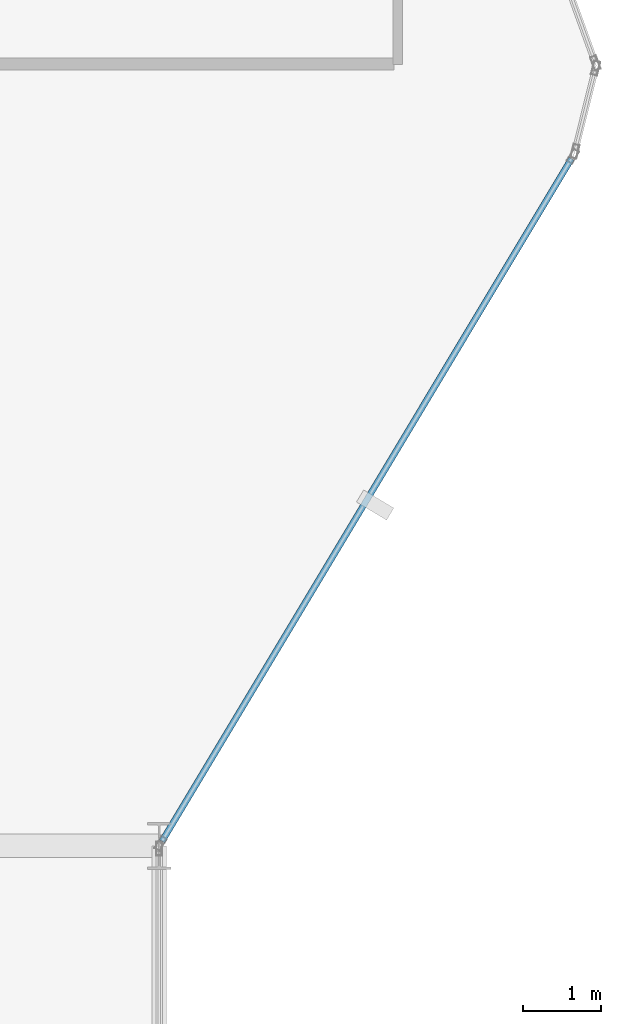
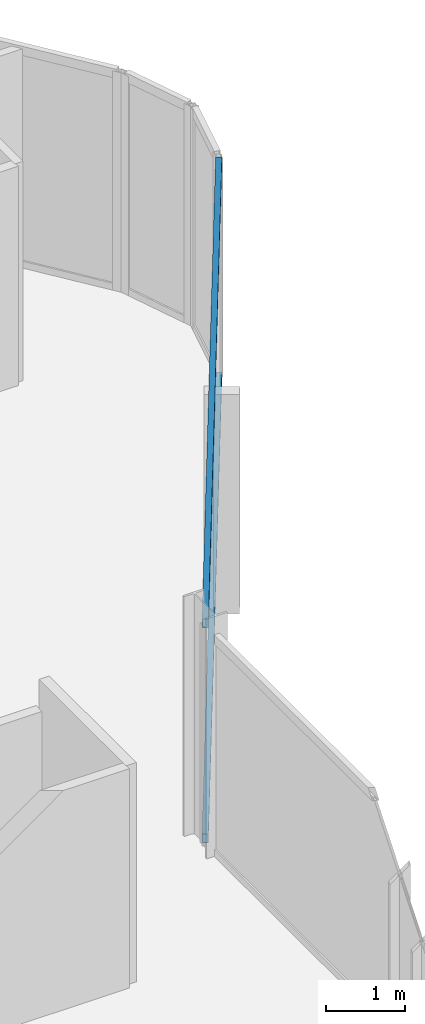
# One storey, part 13 of 30: 2 members, 1 element without a shape of its own.
"""IFC4 building model written with IfcOpenShell, lengths in metres."""

from ifc_helpers import new_model, si_unit, direction, frame, origin, origin_2d, place, context, subcontext, project, spatial, hollow_rectangle, extrude, material, layer, layer_set, material_profile, profile_set, type_object, element, aggregate, save


model = new_model("IFC4")

# Units and contexts
model_context = context("Model", 3, precision=1e-05, world=origin(), true_north=direction((0.0, 1.0)))
body_context = subcontext(model_context, "Body", "Model", "MODEL_VIEW")
ifc_project = project(units=[si_unit("LENGTHUNIT", "METRE"), si_unit("AREAUNIT", "SQUARE_METRE"), si_unit("VOLUMEUNIT", "CUBIC_METRE"), si_unit("PLANEANGLEUNIT", "RADIAN"), si_unit("MASSUNIT", "GRAM", prefix="KILO")], contexts=[model_context])

# Site, building, storey
site_placement = place(None, origin())
site = spatial("IfcSite", under=ifc_project, at=site_placement, CompositionType="ELEMENT")
building_placement = place(site_placement, origin())
building = spatial("IfcBuilding", under=site, at=building_placement, Name="Keshet Zoharim Tower", CompositionType="ELEMENT")
storey_placement = place(building_placement, frame((0.0, 0.0, 109.39990234375)))
storey = spatial("IfcBuildingStorey", under=building, at=storey_placement, Name="L26", CompositionType="ELEMENT", Elevation=109.39990234375)

# Curtain wall, members
ifc_material = material(Name="Aluminium 6063-T6", Category="aluminium")
ifc_layer = layer(ifc_material, 0.159912109375)
ifc_layer_set = layer_set([ifc_layer], Name="Aluminium 6063-T6")
curtain_wall_type = type_object("IfcCurtainWallType", Name="CW-SYS-03", PredefinedType="NOTDEFINED", material=ifc_layer_set)
curtain_wall_placement = place(storey_placement, origin())
curtain_wall = element("IfcCurtainWall", 1, at=curtain_wall_placement, inside=storey, type_object=curtain_wall_type, Name="L26 Unitised Curtain Wall 18", PredefinedType="NOTDEFINED")
ifc_material_profile = material_profile(ifc_material, hollow_rectangle(XDim=0.080078125, YDim=0.139892578125, WallThickness=0.00390625, at=origin_2d()), Name="TRN-80x140")
ifc_profile_set = profile_set([ifc_material_profile], Name="Aluminium 6063-T6")
member_type = type_object("IfcMemberType", Name="CWT-T14", PredefinedType="USERDEFINED", material=ifc_profile_set)
member_1_placement = place(storey_placement, frame((62.27197265625, 36.68701171875, 0.03515625), z_axis=(-0.514467532827, -0.857509858641, 0.0), x_axis=(0.857509858641, -0.514467532827, 0.0)))
member_1 = element("IfcMember", 2, at=member_1_placement, type_object=member_type, Name="CW-03 transom 1.1", ObjectType="TRANSOM", PredefinedType="USERDEFINED", context=body_context, shape_type="SweptSolid", body=[
    extrude(hollow_rectangle(XDim=0.080078125, YDim=0.139892578125, WallThickness=0.00390625, at=origin_2d()), origin(), (0.0, 0.0, 1.0), 10.17724609375),
])
member_2_placement = place(storey_placement, frame((62.27197265625, 36.68701171875, 3.35009765625), z_axis=(-0.514467532827, -0.857509858641, 0.0), x_axis=(0.857509858641, -0.514467532827, 0.0)))
member_2 = element("IfcMember", 3, at=member_2_placement, type_object=member_type, Name="CW-03 transom 1.2", ObjectType="TRANSOM", PredefinedType="USERDEFINED", context=body_context, shape_type="SweptSolid", body=[
    extrude(hollow_rectangle(XDim=0.080078125, YDim=0.139892578125, WallThickness=0.00390625, at=origin_2d()), origin(), (0.0, 0.0, 1.0), 10.17724609375),
])
aggregate(curtain_wall, [member_1, member_2])

save(model, "model.ifc")
